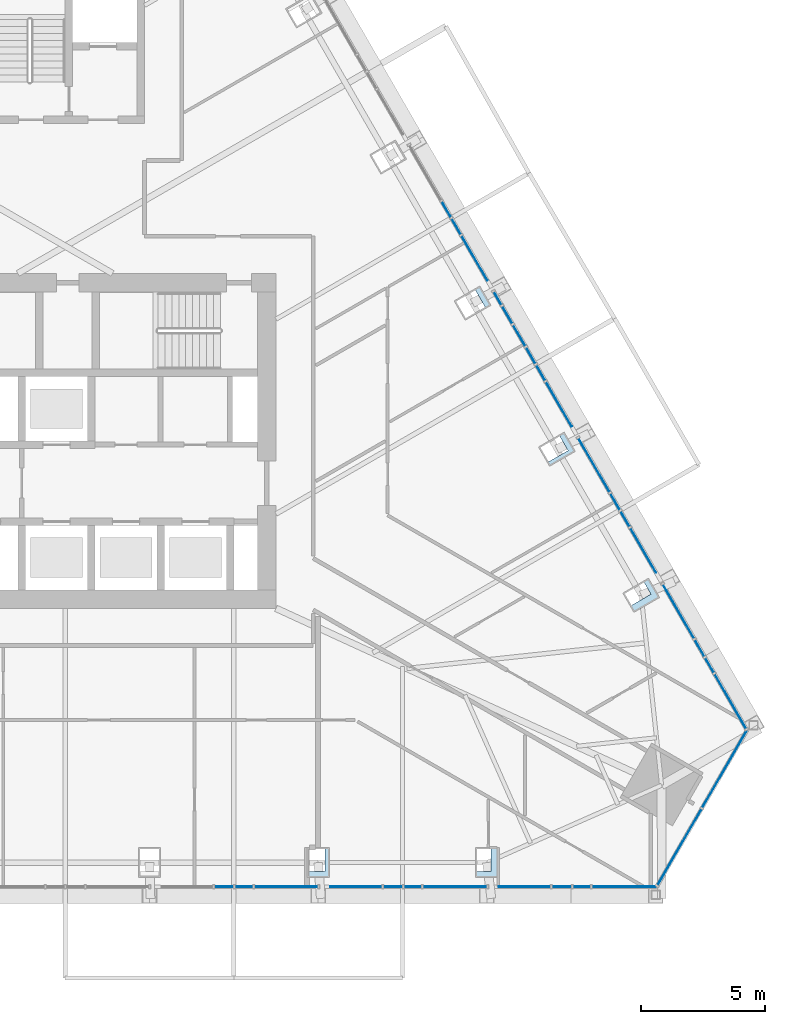
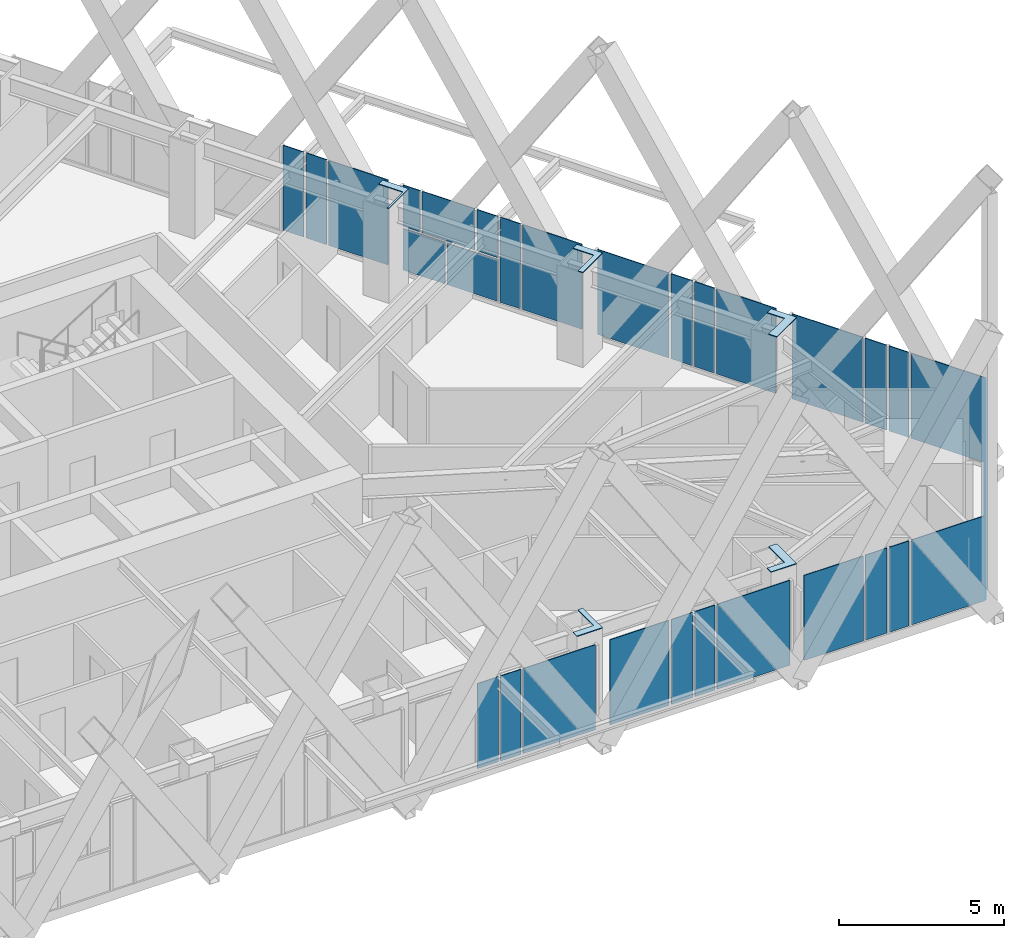
# One storey, part 16 of 24: 36 plates, 3 elements without a shape of their own.
"""IFC4 building model written with IfcOpenShell, lengths in metres."""

from ifc_helpers import new_model, si_unit, direction, frame, origin, place, context, subcontext, project, spatial, polyline, outline, extrude, material, layer, layer_set, type_object, element, aggregate, save


model = new_model("IFC4")

# Units and contexts
model_context = context("Model", 3, precision=1e-05, world=origin(), true_north=direction((0.0, 1.0)))
body_context = subcontext(model_context, "Body", "Model", "MODEL_VIEW")
ifc_project = project(units=[si_unit("LENGTHUNIT", "METRE"), si_unit("AREAUNIT", "SQUARE_METRE"), si_unit("VOLUMEUNIT", "CUBIC_METRE"), si_unit("PLANEANGLEUNIT", "RADIAN"), si_unit("MASSUNIT", "GRAM", prefix="KILO")], contexts=[model_context])

# Site, building, storey
site_placement = place(None, origin())
site = spatial("IfcSite", under=ifc_project, at=site_placement, CompositionType="ELEMENT")
building_placement = place(site_placement, origin())
building = spatial("IfcBuilding", under=site, at=building_placement, Name="Firuza Gate Tower and Library", CompositionType="ELEMENT")
storey_placement = place(building_placement, frame((0.0, 0.0, 260.10009765625)))
storey = spatial("IfcBuildingStorey", under=building, at=storey_placement, Name="L61", CompositionType="ELEMENT", Elevation=260.10009765625)

# Plates
ifc_material_1 = material(Name="Steel S355", Category="steel")
ifc_layer_1 = layer(ifc_material_1, 0.030029296875)
ifc_layer_set_1 = layer_set([ifc_layer_1], Name="Column infill plate 30 Steel S355")
plate_type_1 = type_object("IfcPlateType", Name="Column infill plate 30 Steel S355", PredefinedType="SHEET", material=ifc_layer_set_1)
placement_1 = place(storey_placement, frame((0.0, 0.0, 3.5)))
element("IfcPlate", 1, at=placement_1, inside=storey, type_object=plate_type_1, Name="Infill plate L61:S5", PredefinedType="SHEET", context=body_context, shape_type="SweptSolid", body=[
    extrude(outline(polyline([(85.64990234375, 58.60205078125), (85.47412109375, 58.60205078125), (85.47412109375, 57.63916015625), (84.75, 57.63916015625), (84.75, 57.402099609375), (85.64990234375, 57.402099609375), (85.64990234375, 58.60205078125)])), origin(), (0.0, 0.0, 1.0), 0.02978515625),
])
element("IfcPlate", 2, at=placement_1, inside=storey, type_object=plate_type_1, Name="Infill plate L61:S6", PredefinedType="SHEET", context=body_context, shape_type="SweptSolid", body=[
    extrude(outline(polyline([(92.449951171875, 58.60205078125), (92.15673828125, 58.60205078125), (92.15673828125, 57.63916015625), (91.550048828125, 57.63916015625), (91.550048828125, 57.402099609375), (92.449951171875, 57.402099609375), (92.449951171875, 58.60205078125)])), origin(), (0.0, 0.0, 1.0), 0.02978515625),
])
element("IfcPlate", 3, at=placement_1, inside=storey, type_object=plate_type_1, Name="Infill plate L61:E1", PredefinedType="SHEET", context=body_context, shape_type="SweptSolid", body=[
    extrude(outline(polyline([(98.51513671875, 69.46630859375), (98.309814453125, 69.34765625), (98.61328125, 68.822265625), (97.779296875, 68.3408203125), (97.926025390625, 68.086669921875), (98.965087890625, 68.686767578125), (98.51513671875, 69.46630859375)])), origin(), (0.0, 0.0, 1.0), 0.02978515625),
])
element("IfcPlate", 4, at=placement_1, inside=storey, type_object=plate_type_1, Name="Infill plate L61:E2", PredefinedType="SHEET", context=body_context, shape_type="SweptSolid", body=[
    extrude(outline(polyline([(95.115234375, 75.355224609375), (94.909912109375, 75.236572265625), (95.27197265625, 74.609619140625), (94.43798828125, 74.128173828125), (94.52587890625, 73.975830078125), (95.565185546875, 74.57568359375), (95.115234375, 75.355224609375)])), origin(), (0.0, 0.0, 1.0), 0.02978515625),
])
element("IfcPlate", 5, at=placement_1, inside=storey, type_object=plate_type_1, Name="Infill plate L61:E3", PredefinedType="SHEET", context=body_context, shape_type="SweptSolid", body=[
    extrude(outline(polyline([(91.715087890625, 81.244140625), (91.509765625, 81.12548828125), (91.930419921875, 80.39697265625), (91.0966796875, 79.91552734375), (91.1259765625, 79.86474609375), (92.165283203125, 80.46484375), (91.715087890625, 81.244140625)])), origin(), (0.0, 0.0, 1.0), 0.02978515625),
])

# Curtain wall, plates
ifc_material_2 = material(Name="Aluminium 6063-T6", Category="aluminium")
ifc_layer_2 = layer(ifc_material_2, 0.14990234375)
ifc_layer_set_2 = layer_set([ifc_layer_2], Name="Corner curtain wall, chamfers")
curtain_wall_type_1 = type_object("IfcCurtainWallType", Name="Corner curtain wall, chamfers", PredefinedType="NOTDEFINED", material=ifc_layer_set_2)
placement_2 = place(storey_placement, origin())
curtain_wall_1 = element("IfcCurtainWall", 6, at=placement_2, inside=storey, type_object=curtain_wall_type_1, Name="CW4 L61 SE corner", PredefinedType="NOTDEFINED")
ifc_material_3 = material(Name="Fritted glass", Category="glass")
ifc_layer_3 = layer(ifc_material_3, 0.030029296875)
ifc_layer_set_3 = layer_set([ifc_layer_3], Name="Fritted glass unit, corners")
plate_type_2 = type_object("IfcPlateType", Name="Fritted glass unit, corners", PredefinedType="CURTAIN_PANEL", material=ifc_layer_set_3)
plate_6_placement = place(storey_placement, frame((98.876220703125, 57.05419921875, 0.14990234375), z_axis=(0.866016723041, -0.500015035186, 0.0), x_axis=(0.500015035186, 0.866016723041, 0.0)))
plate_6 = element("IfcPlate", 7, at=plate_6_placement, type_object=plate_type_2, Name="Glass unit", PredefinedType="CURTAIN_PANEL", context=body_context, shape_type="SweptSolid", body=[
    extrude(outline(polyline([(0.0, 0.0), (3.5633694106530625, 0.0), (3.5633694106530625, 3.14990234375), (0.0, 3.14990234375), (0.0, 0.0)])), origin(), (0.0, 0.0, -1.0), 0.030029296875),
])
plate_7_placement = place(storey_placement, frame((100.697998046875, 60.20947265625, 0.14990234375), z_axis=(0.866046390552, -0.49996364809, 0.0), x_axis=(0.49996364809, 0.866046390552, 0.0)))
plate_7 = element("IfcPlate", 8, at=plate_7_placement, type_object=plate_type_2, Name="Glass unit", PredefinedType="CURTAIN_PANEL", context=body_context, shape_type="SweptSolid", body=[
    extrude(outline(polyline([(0.0, 0.0), (3.563247342942594, 0.0), (3.563247342942594, 3.14990234375), (0.0, 3.14990234375), (0.0, 0.0)])), origin(), (0.0, 0.0, -1.0), 0.030029296875),
])
aggregate(curtain_wall_1, [plate_6, plate_7])

ifc_material_4 = material(Name="Aluminium 6063-T6", Category="aluminium")
ifc_layer_4 = layer(ifc_material_4, 0.14990234375)
ifc_layer_set_4 = layer_set([ifc_layer_4], Name="Unitised curtain wall, residences")
curtain_wall_type_2 = type_object("IfcCurtainWallType", Name="Unitised curtain wall, residences", PredefinedType="NOTDEFINED", material=ifc_layer_set_4)
curtain_wall_2 = element("IfcCurtainWall", 9, at=placement_2, inside=storey, type_object=curtain_wall_type_2, Name="CW3 L61 S face", PredefinedType="NOTDEFINED")
ifc_material_5 = material(Name="Fritted glass", Category="glass")
ifc_layer_5 = layer(ifc_material_5, 0.030029296875)
ifc_layer_set_5 = layer_set([ifc_layer_5], Name="Fritted glass unit, residences")
plate_type_3 = type_object("IfcPlateType", Name="Fritted glass unit, residences", PredefinedType="CURTAIN_PANEL", material=ifc_layer_set_5)
plate_8_placement = place(storey_placement, frame((81.0390625, 57.01220703125, 0.14990234375), z_axis=(0.0, -1.0, 0.0), x_axis=(1.0, 0.0, 0.0)))
plate_8 = element("IfcPlate", 10, at=plate_8_placement, type_object=plate_type_3, Name="Glass unit", PredefinedType="CURTAIN_PANEL", context=body_context, shape_type="SweptSolid", body=[
    extrude(outline(polyline([(0.0, 0.0), (0.7333984375, 0.0), (0.7333984375, 3.14990234375), (0.0, 3.14990234375), (0.0, 0.0)])), origin(), (0.0, 0.0, -1.0), 0.030029296875),
])
plate_9_placement = place(storey_placement, frame((81.852294921875, 57.01220703125, 0.14990234375), z_axis=(0.0, -1.0, 0.0), x_axis=(1.0, 0.0, 0.0)))
plate_9 = element("IfcPlate", 11, at=plate_9_placement, type_object=plate_type_3, Name="Glass unit", PredefinedType="CURTAIN_PANEL", context=body_context, shape_type="SweptSolid", body=[
    extrude(outline(polyline([(0.0, 0.0), (0.70849609375, 0.0), (0.70849609375, 3.14990234375), (0.0, 3.14990234375), (0.0, 0.0)])), origin(), (0.0, 0.0, -1.0), 0.030029296875),
])
plate_10_placement = place(storey_placement, frame((87.839111328125, 57.01220703125, 0.14990234375), z_axis=(0.0, -1.0, 0.0), x_axis=(1.0, 0.0, 0.0)))
plate_10 = element("IfcPlate", 12, at=plate_10_placement, type_object=plate_type_3, Name="Glass unit", PredefinedType="CURTAIN_PANEL", context=body_context, shape_type="SweptSolid", body=[
    extrude(outline(polyline([(0.0, 0.0), (0.74560546875, 0.0), (0.74560546875, 3.14990234375), (0.0, 3.14990234375), (0.0, 0.0)])), origin(), (0.0, 0.0, -1.0), 0.030029296875),
])
plate_11_placement = place(storey_placement, frame((88.664794921875, 57.01220703125, 0.14990234375), z_axis=(0.0, -1.0, 0.0), x_axis=(1.0, 0.0, 0.0)))
plate_11 = element("IfcPlate", 13, at=plate_11_placement, type_object=plate_type_3, Name="Glass unit", PredefinedType="CURTAIN_PANEL", context=body_context, shape_type="SweptSolid", body=[
    extrude(outline(polyline([(0.0, 0.0), (0.696044921875, 0.0), (0.696044921875, 3.14990234375), (0.0, 3.14990234375), (0.0, 0.0)])), origin(), (0.0, 0.0, -1.0), 0.030029296875),
])
plate_12_placement = place(storey_placement, frame((94.63916015625, 57.01220703125, 0.14990234375), z_axis=(0.0, -1.0, 0.0), x_axis=(1.0, 0.0, 0.0)))
plate_12 = element("IfcPlate", 14, at=plate_12_placement, type_object=plate_type_3, Name="Glass unit", PredefinedType="CURTAIN_PANEL", context=body_context, shape_type="SweptSolid", body=[
    extrude(outline(polyline([(0.0, 0.0), (0.758056640625, 0.0), (0.758056640625, 3.14990234375), (0.0, 3.14990234375), (0.0, 0.0)])), origin(), (0.0, 0.0, -1.0), 0.030029296875),
])
plate_13_placement = place(storey_placement, frame((95.47705078125, 57.01220703125, 0.14990234375), z_axis=(0.0, -1.0, 0.0), x_axis=(1.0, 0.0, 0.0)))
plate_13 = element("IfcPlate", 15, at=plate_13_placement, type_object=plate_type_3, Name="Glass unit", PredefinedType="CURTAIN_PANEL", context=body_context, shape_type="SweptSolid", body=[
    extrude(outline(polyline([(0.0, 0.0), (0.683837890625, 0.0), (0.683837890625, 3.14990234375), (0.0, 3.14990234375), (0.0, 0.0)])), origin(), (0.0, 0.0, -1.0), 0.030029296875),
])

curtain_wall_3 = element("IfcCurtainWall", 16, at=placement_2, inside=storey, type_object=curtain_wall_type_2, Name="CW3 L61 E face", PredefinedType="NOTDEFINED")
plate_14_placement = place(storey_placement, frame((101.158447265625, 65.66796875, 0.14990234375), z_axis=(0.86597157169, 0.500093228334, 0.0), x_axis=(-0.500093228334, 0.86597157169, 0.0)))
plate_14 = element("IfcPlate", 17, at=plate_14_placement, type_object=plate_type_3, Name="Glass unit", PredefinedType="CURTAIN_PANEL", context=body_context, shape_type="SweptSolid", body=[
    extrude(outline(polyline([(0.0, 0.0), (0.6839545033727525, 0.0), (0.6839545033727525, 3.14990234375), (0.0, 3.14990234375), (0.0, 0.0)])), origin(), (0.0, 0.0, -1.0), 0.030029296875),
])
plate_15_placement = place(storey_placement, frame((100.776611328125, 66.32958984375, 0.14990234375), z_axis=(0.865874375508, 0.500261497457, 0.0), x_axis=(-0.500261497457, 0.865874375508, 0.0)))
plate_15 = element("IfcPlate", 18, at=plate_15_placement, type_object=plate_type_3, Name="Glass unit", PredefinedType="CURTAIN_PANEL", context=body_context, shape_type="SweptSolid", body=[
    extrude(outline(polyline([(0.0, 0.0), (0.7579044011028635, 0.0), (0.7579044011028635, 3.14990234375), (0.0, 3.14990234375), (0.0, 0.0)])), origin(), (0.0, 0.0, -1.0), 0.030029296875),
])
plate_16_placement = place(storey_placement, frame((97.75830078125, 71.55712890625, 0.14990234375), z_axis=(0.86609797283, 0.499874285655, 0.0), x_axis=(-0.499874285655, 0.86609797283, 0.0)))
plate_16 = element("IfcPlate", 19, at=plate_16_placement, type_object=plate_type_3, Name="Glass unit", PredefinedType="CURTAIN_PANEL", context=body_context, shape_type="SweptSolid", body=[
    extrude(outline(polyline([(0.0, 0.0), (0.6959757695255364, 0.0), (0.6959757695255364, 3.14990234375), (0.0, 3.14990234375), (0.0, 0.0)])), origin(), (0.0, 0.0, -1.0), 0.030029296875),
])
plate_17_placement = place(storey_placement, frame((97.370361328125, 72.229248046875, 0.14990234375), z_axis=(0.866038370891, 0.499977539641, 0.0), x_axis=(-0.499977539641, 0.866038370891, 0.0)))
plate_17 = element("IfcPlate", 20, at=plate_17_placement, type_object=plate_type_3, Name="Glass unit", PredefinedType="CURTAIN_PANEL", context=body_context, shape_type="SweptSolid", body=[
    extrude(outline(polyline([(0.0, 0.0), (0.7456389633879315, 0.0), (0.7456389633879315, 3.14990234375), (0.0, 3.14990234375), (0.0, 0.0)])), origin(), (0.0, 0.0, -1.0), 0.030029296875),
])
plate_18_placement = place(storey_placement, frame((94.3583984375, 77.446044921875, 0.14990234375), z_axis=(0.866007679738, 0.500030697692, 0.0), x_axis=(-0.500030697692, 0.866007679738, 0.0)))
plate_18 = element("IfcPlate", 21, at=plate_18_placement, type_object=plate_type_3, Name="Glass unit", PredefinedType="CURTAIN_PANEL", context=body_context, shape_type="SweptSolid", body=[
    extrude(outline(polyline([(0.0, 0.0), (0.7084525980306029, 0.0), (0.7084525980306029, 3.14990234375), (0.0, 3.14990234375), (0.0, 0.0)])), origin(), (0.0, 0.0, -1.0), 0.030029296875),
])
plate_19_placement = place(storey_placement, frame((93.964111328125, 78.12890625, 0.14990234375), z_axis=(0.866005055078, 0.500035243338, 0.0), x_axis=(-0.500035243338, 0.866005055078, 0.0)))
plate_19 = element("IfcPlate", 22, at=plate_19_placement, type_object=plate_type_3, Name="Glass unit", PredefinedType="CURTAIN_PANEL", context=body_context, shape_type="SweptSolid", body=[
    extrude(outline(polyline([(0.0, 0.0), (1.779171467118707, 0.0), (1.779171467118707, 1.534912109375), (0.0, 1.534912109375), (0.0, 0.0)])), origin(), (0.0, 0.0, -1.0), 0.030029296875),
])
plate_20_placement = place(storey_placement, frame((93.964111328125, 78.12890625, 1.764892578125), z_axis=(0.86598042715, 0.500077893725, 0.0), x_axis=(-0.500077893725, 0.86598042715, 0.0)))
plate_20 = element("IfcPlate", 23, at=plate_20_placement, type_object=plate_type_3, Name="Glass unit", PredefinedType="CURTAIN_PANEL", context=body_context, shape_type="SweptSolid", body=[
    extrude(outline(polyline([(0.0, 0.0), (0.733284201023708, 0.0), (0.733284201023708, 1.534912109375), (0.0, 1.534912109375), (0.0, 0.0)])), origin(), (0.0, 0.0, -1.0), 0.030029296875),
])
plate_21_placement = place(storey_placement, frame((92.598388671875, 80.494384765625, 1.764892578125), z_axis=(0.86606255962, 0.499935638681, 0.0), x_axis=(-0.499935638681, 0.86606255962, 0.0)))
plate_21 = element("IfcPlate", 24, at=plate_21_placement, type_object=plate_type_3, Name="Glass unit", PredefinedType="CURTAIN_PANEL", context=body_context, shape_type="SweptSolid", body=[
    extrude(outline(polyline([(0.0, 0.0), (0.5948031271271892, 0.0), (0.5948031271271892, 1.534912109375), (0.0, 1.534912109375), (0.0, 0.0)])), origin(), (0.0, 0.0, -1.0), 0.030029296875),
])
plate_22_placement = place(storey_placement, frame((90.95849609375, 83.3349609375, 0.14990234375), z_axis=(0.865920485182, 0.500181680334, 0.0), x_axis=(-0.500181680334, 0.865920485182, 0.0)))
plate_22 = element("IfcPlate", 25, at=plate_22_placement, type_object=plate_type_3, Name="Glass unit", PredefinedType="CURTAIN_PANEL", context=body_context, shape_type="SweptSolid", body=[
    extrude(outline(polyline([(0.0, 0.0), (0.7209294488438284, 0.0), (0.7209294488438284, 3.14990234375), (0.0, 3.14990234375), (0.0, 0.0)])), origin(), (0.0, 0.0, -1.0), 0.030029296875),
])
plate_23_placement = place(storey_placement, frame((90.557861328125, 84.028564453125, 0.14990234375), z_axis=(0.866067146763, 0.49992769207, 0.0), x_axis=(-0.49992769207, 0.866067146763, 0.0)))
plate_23 = element("IfcPlate", 26, at=plate_23_placement, type_object=plate_type_3, Name="Glass unit", PredefinedType="CURTAIN_PANEL", context=body_context, shape_type="SweptSolid", body=[
    extrude(outline(polyline([(0.0, 0.0), (0.7208073651775795, 0.0), (0.7208073651775795, 3.14990234375), (0.0, 3.14990234375), (0.0, 0.0)])), origin(), (0.0, 0.0, -1.0), 0.030029296875),
])

# Plate
ifc_material_6 = material(Name="Glazed ceramic tile")
ifc_layer_6 = layer(ifc_material_6, 0.030029296875)
ifc_layer_set_6 = layer_set([ifc_layer_6], Name="Opaque ceramic panel, residences")
plate_type_4 = type_object("IfcPlateType", Name="Opaque ceramic panel, residences", PredefinedType="CURTAIN_PANEL", material=ifc_layer_set_6)
plate_24_placement = place(storey_placement, frame((82.640869140625, 57.01220703125, 0.14990234375), z_axis=(0.0, -1.0, 0.0), x_axis=(1.0, 0.0, 0.0)))
plate_24 = element("IfcPlate", 27, at=plate_24_placement, type_object=plate_type_4, Name="Opaque ceramic panel", PredefinedType="CURTAIN_PANEL", context=body_context, shape_type="SweptSolid", body=[
    extrude(outline(polyline([(0.0, 0.0), (2.53759765625, 0.0), (2.53759765625, 3.14990234375), (0.0, 3.14990234375), (0.0, 0.0)])), origin(), (0.0, 0.0, -1.0), 0.030029296875),
])

plate_25_placement = place(storey_placement, frame((85.68701171875, 57.01220703125, 0.14990234375), z_axis=(0.0, -1.0, 0.0), x_axis=(1.0, 0.0, 0.0)))
plate_25 = element("IfcPlate", 28, at=plate_25_placement, type_object=plate_type_4, Name="Opaque ceramic panel", PredefinedType="CURTAIN_PANEL", context=body_context, shape_type="SweptSolid", body=[
    extrude(outline(polyline([(0.0, 0.0), (2.072021484375, 0.0), (2.072021484375, 3.14990234375), (0.0, 3.14990234375), (0.0, 0.0)])), origin(), (0.0, 0.0, -1.0), 0.030029296875),
])

plate_26_placement = place(storey_placement, frame((89.44091796875, 57.01220703125, 0.14990234375), z_axis=(0.0, -1.0, 0.0), x_axis=(1.0, 0.0, 0.0)))
plate_26 = element("IfcPlate", 29, at=plate_26_placement, type_object=plate_type_4, Name="Opaque ceramic panel", PredefinedType="CURTAIN_PANEL", context=body_context, shape_type="SweptSolid", body=[
    extrude(outline(polyline([(0.0, 0.0), (2.550048828125, 0.0), (2.550048828125, 3.14990234375), (0.0, 3.14990234375), (0.0, 0.0)])), origin(), (0.0, 0.0, -1.0), 0.030029296875),
])

plate_27_placement = place(storey_placement, frame((92.487060546875, 57.01220703125, 0.14990234375), z_axis=(0.0, -1.0, 0.0), x_axis=(1.0, 0.0, 0.0)))
plate_27 = element("IfcPlate", 30, at=plate_27_placement, type_object=plate_type_4, Name="Opaque ceramic panel", PredefinedType="CURTAIN_PANEL", context=body_context, shape_type="SweptSolid", body=[
    extrude(outline(polyline([(0.0, 0.0), (2.072021484375, 0.0), (2.072021484375, 3.14990234375), (0.0, 3.14990234375), (0.0, 0.0)])), origin(), (0.0, 0.0, -1.0), 0.030029296875),
])

plate_28_placement = place(storey_placement, frame((96.240966796875, 57.01220703125, 0.14990234375), z_axis=(0.0, -1.0, 0.0), x_axis=(1.0, 0.0, 0.0)))
plate_28 = element("IfcPlate", 31, at=plate_28_placement, type_object=plate_type_4, Name="Opaque ceramic panel", PredefinedType="CURTAIN_PANEL", context=body_context, shape_type="SweptSolid", body=[
    extrude(outline(polyline([(0.0, 0.0), (2.562255859375, 0.0), (2.562255859375, 3.14990234375), (0.0, 3.14990234375), (0.0, 0.0)])), origin(), (0.0, 0.0, -1.0), 0.030029296875),
])

aggregate(curtain_wall_2, [plate_8, plate_9, plate_24, plate_25, plate_10, plate_11, plate_26, plate_27, plate_12, plate_13, plate_28])

plate_29_placement = place(storey_placement, frame((102.4794921875, 63.379638671875, 0.14990234375), z_axis=(0.866071357471, 0.499920397431, 0.0), x_axis=(-0.499920397431, 0.866071357471, 0.0)))
plate_29 = element("IfcPlate", 32, at=plate_29_placement, type_object=plate_type_4, Name="Opaque ceramic panel", PredefinedType="CURTAIN_PANEL", context=body_context, shape_type="SweptSolid", body=[
    extrude(outline(polyline([(0.0, 0.0), (2.5624196691249734, 0.0), (2.5624196691249734, 3.149902343750001), (0.0, 3.149902343750001), (0.0, 0.0)])), origin(), (0.0, 0.0, -1.0), 0.030029296875),
])

plate_30_placement = place(storey_placement, frame((100.357421875, 67.05517578125, 0.14990234375), z_axis=(0.866054867757, 0.499948963429, 0.0), x_axis=(-0.499948963429, 0.866054867757, 0.0)))
plate_30 = element("IfcPlate", 33, at=plate_30_placement, type_object=plate_type_4, Name="Opaque ceramic panel", PredefinedType="CURTAIN_PANEL", context=body_context, shape_type="SweptSolid", body=[
    extrude(outline(polyline([(0.0, 0.0), (2.488046931517937, 0.0), (2.488046931517937, 3.14990234375), (0.0, 3.14990234375), (0.0, 0.0)])), origin(), (0.0, 0.0, -1.0), 0.030029296875),
])

plate_31_placement = place(storey_placement, frame((98.83447265625, 69.693359375, 0.14990234375), z_axis=(0.866001142146, 0.500042020036, 0.0), x_axis=(-0.500042020036, 0.866001142146, 0.0)))
plate_31 = element("IfcPlate", 34, at=plate_31_placement, type_object=plate_type_4, Name="Opaque ceramic panel", PredefinedType="CURTAIN_PANEL", context=body_context, shape_type="SweptSolid", body=[
    extrude(outline(polyline([(0.0, 0.0), (2.0720914862808786, 0.0), (2.0720914862808786, 3.14990234375), (0.0, 3.14990234375), (0.0, 0.0)])), origin(), (0.0, 0.0, -1.0), 0.030029296875),
])

plate_32_placement = place(storey_placement, frame((96.95751953125, 72.944091796875, 0.14990234375), z_axis=(0.86605390509, 0.499950631041, 0.0), x_axis=(-0.499950631041, 0.86605390509, 0.0)))
plate_32 = element("IfcPlate", 35, at=plate_32_placement, type_object=plate_type_4, Name="Opaque ceramic panel", PredefinedType="CURTAIN_PANEL", context=body_context, shape_type="SweptSolid", body=[
    extrude(outline(polyline([(0.0, 0.0), (2.5007351986364004, 0.0), (2.5007351986364004, 3.14990234375), (0.0, 3.14990234375), (0.0, 0.0)])), origin(), (0.0, 0.0, -1.0), 0.030029296875),
])

plate_33_placement = place(storey_placement, frame((95.434326171875, 75.582275390625, 0.14990234375), z_axis=(0.86605216248, 0.499953649715, 0.0), x_axis=(-0.499953649715, 0.86605216248, 0.0)))
plate_33 = element("IfcPlate", 36, at=plate_33_placement, type_object=plate_type_4, Name="Opaque ceramic panel", PredefinedType="CURTAIN_PANEL", context=body_context, shape_type="SweptSolid", body=[
    extrude(outline(polyline([(0.0, 0.0), (2.0719694164966556, 0.0), (2.0719694164966556, 3.14990234375), (0.0, 3.14990234375), (0.0, 0.0)])), origin(), (0.0, 0.0, -1.0), 0.030029296875),
])

plate_34_placement = place(storey_placement, frame((93.03466796875, 79.739013671875, 0.14990234375), z_axis=(0.865991592656, 0.500058558019, 0.0), x_axis=(-0.500058558019, 0.865991592656, 0.0)))
plate_34 = element("IfcPlate", 37, at=plate_34_placement, type_object=plate_type_4, Name="Opaque ceramic panel", PredefinedType="CURTAIN_PANEL", context=body_context, shape_type="SweptSolid", body=[
    extrude(outline(polyline([(0.0, 0.0), (1.467113333748089, 0.0), (1.467113333748089, 1.5349121093750004), (0.0, 1.5349121093750004), (0.0, 0.0)])), origin(), (0.0, 0.0, -1.0), 0.030029296875),
])

plate_35_placement = place(storey_placement, frame((93.5576171875, 78.833251953125, 1.764892578125), z_axis=(0.865986508459, 0.50006736263, 0.0), x_axis=(-0.50006736263, 0.865986508459, 0.0)))
plate_35 = element("IfcPlate", 38, at=plate_35_placement, type_object=plate_type_4, Name="Opaque ceramic panel", PredefinedType="CURTAIN_PANEL", context=body_context, shape_type="SweptSolid", body=[
    extrude(outline(polyline([(0.0, 0.0), (1.838131263538054, 0.0), (1.838131263538054, 1.5349121093750004), (0.0, 1.5349121093750004), (0.0, 0.0)])), origin(), (0.0, 0.0, -1.0), 0.030029296875),
])

plate_36_placement = place(storey_placement, frame((92.034423828125, 81.47119140625, 0.14990234375), z_axis=(0.866001142146, 0.500042020036, 0.0), x_axis=(-0.500042020036, 0.866001142146, 0.0)))
plate_36 = element("IfcPlate", 39, at=plate_36_placement, type_object=plate_type_4, Name="Opaque ceramic panel", PredefinedType="CURTAIN_PANEL", context=body_context, shape_type="SweptSolid", body=[
    extrude(outline(polyline([(0.0, 0.0), (2.0720914862808786, 0.0), (2.0720914862808786, 3.14990234375), (0.0, 3.14990234375), (0.0, 0.0)])), origin(), (0.0, 0.0, -1.0), 0.030029296875),
])

aggregate(curtain_wall_3, [plate_29, plate_14, plate_15, plate_30, plate_31, plate_16, plate_17, plate_32, plate_33, plate_18, plate_19, plate_34, plate_20, plate_35, plate_21, plate_36, plate_22, plate_23])

save(model, "model.ifc")
